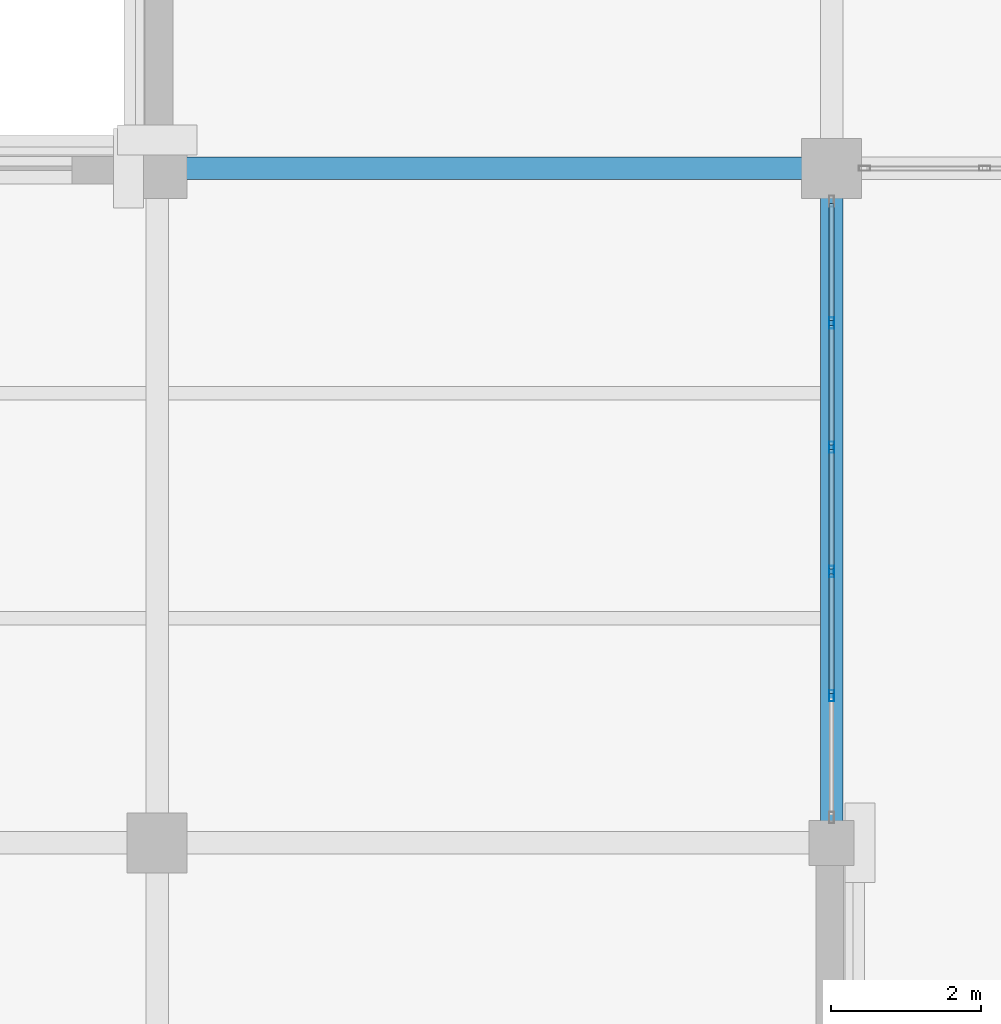
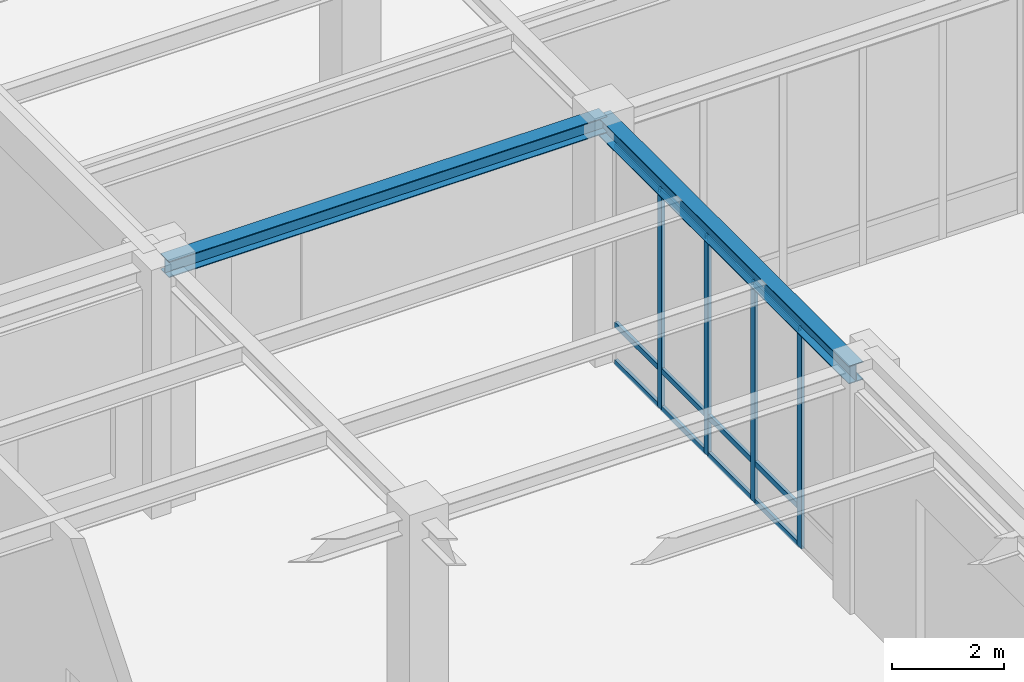
# One storey, part 46 of 77: 16 members, 2 beams, 1 element without a shape of its own.
"""IFC4 building model written with IfcOpenShell, lengths in metres."""

from ifc_helpers import new_model, si_unit, direction, frame, origin, origin_2d, place, context, subcontext, project, spatial, hollow_rectangle, i_section, extrude, material, material_profile, profile_set, type_object, element, aggregate, save


model = new_model("IFC4")

# Units and contexts
model_context = context("Model", 3, precision=1e-05, world=origin(), true_north=direction((0.0, 1.0)))
body_context = subcontext(model_context, "Body", "Model", "MODEL_VIEW")
ifc_project = project(units=[si_unit("LENGTHUNIT", "METRE"), si_unit("AREAUNIT", "SQUARE_METRE"), si_unit("VOLUMEUNIT", "CUBIC_METRE"), si_unit("PLANEANGLEUNIT", "RADIAN"), si_unit("MASSUNIT", "GRAM", prefix="KILO")], contexts=[model_context])

# Site, building, storey
site_placement = place(None, origin())
site = spatial("IfcSite", under=ifc_project, at=site_placement, CompositionType="ELEMENT")
building_placement = place(site_placement, origin())
building = spatial("IfcBuilding", under=site, at=building_placement, Name="Lykobir Media Centre", CompositionType="ELEMENT")
storey_placement = place(building_placement, origin())
storey = spatial("IfcBuildingStorey", under=building, at=storey_placement, Name="L00", CompositionType="ELEMENT", Elevation=0.0)

# Beam
ifc_material_1 = material(Name="Steel S355", Category="steel")
ifc_material_profile_1 = material_profile(ifc_material_1, i_section(OverallWidth=0.300048828125, OverallDepth=0.389892578125, WebThickness=0.010986328125, FlangeThickness=0.01904296875, at=origin_2d()), Name="HEA 400")
ifc_profile_set_1 = profile_set([ifc_material_profile_1], Name="Steel S355")
beam_type_1 = type_object("IfcBeamType", Name="BM-HEA400", PredefinedType="BEAM", material=ifc_profile_set_1)
beam_1_placement = place(storey_placement, frame((108.0, 63.0, 4.962890625), z_axis=(0.0, 1.0, 0.0), x_axis=(-1.0, 0.0, 0.0)))
element("IfcBeam", 1, at=beam_1_placement, inside=storey, type_object=beam_type_1, Name="Beam BM-L00-1080-0630-1080-0720-499", PredefinedType="BEAM", context=body_context, shape_type="SweptSolid", body=[
    extrude(i_section(OverallWidth=0.300048828125, OverallDepth=0.389892578125, WebThickness=0.010986328125, FlangeThickness=0.01904296875, at=origin_2d()), origin(), (0.0, 0.0, 1.0), 9.0),
])

# Curtain wall, members
ifc_material_2 = material(Name="Anodized Aluminium AW-6060", Category="aluminium")
curtain_wall_type = type_object("IfcCurtainWallType", Name="CW-COURT-A", PredefinedType="NOTDEFINED", material=ifc_material_2)
curtain_wall_placement = place(storey_placement, origin())
curtain_wall = element("IfcCurtainWall", 2, at=curtain_wall_placement, inside=storey, type_object=curtain_wall_type, Name="Curtain wall CW2-L00-0007", PredefinedType="NOTDEFINED")
ifc_material_profile_2 = material_profile(ifc_material_2, hollow_rectangle(XDim=0.06494140625, YDim=0.14990234375, WallThickness=0.00341796875, at=origin_2d()), Name="ALU MULLION 65x150")
ifc_profile_set_2 = profile_set([ifc_material_profile_2], Name="Anodized Aluminium AW-6060")
member_type_1 = type_object("IfcMemberType", Name="CWM-150", PredefinedType="MULLION", material=ifc_profile_set_2)
member_1_placement = place(storey_placement, frame((108.0, 69.93701171875, 0.0), z_axis=(0.0, 0.0, 1.0), x_axis=(1.0, 0.0, 0.0)))
member_1 = element("IfcMember", 3, at=member_1_placement, type_object=member_type_1, Name="CW2-L00-0007 mullion 2", PredefinedType="MULLION", context=body_context, shape_type="SweptSolid", body=[
    extrude(hollow_rectangle(XDim=0.06494140625, YDim=0.14990234375, WallThickness=0.00341796875, at=origin_2d()), origin(), (0.0, 0.0, 1.0), 4.7529296875),
])
member_2_placement = place(storey_placement, frame((108.0, 68.279052734375, 0.0), z_axis=(0.0, 0.0, 1.0), x_axis=(1.0, 0.0, 0.0)))
member_2 = element("IfcMember", 4, at=member_2_placement, type_object=member_type_1, Name="CW2-L00-0007 mullion 3", PredefinedType="MULLION", context=body_context, shape_type="SweptSolid", body=[
    extrude(hollow_rectangle(XDim=0.06494140625, YDim=0.14990234375, WallThickness=0.00341796875, at=origin_2d()), origin(), (0.0, 0.0, 1.0), 4.7529296875),
])
member_3_placement = place(storey_placement, frame((108.0, 66.62109375, 0.0), z_axis=(0.0, 0.0, 1.0), x_axis=(1.0, 0.0, 0.0)))
member_3 = element("IfcMember", 5, at=member_3_placement, type_object=member_type_1, Name="CW2-L00-0007 mullion 4", PredefinedType="MULLION", context=body_context, shape_type="SweptSolid", body=[
    extrude(hollow_rectangle(XDim=0.06494140625, YDim=0.14990234375, WallThickness=0.00341796875, at=origin_2d()), origin(), (0.0, 0.0, 1.0), 4.7529296875),
])
member_4_placement = place(storey_placement, frame((108.0, 64.962890625, 0.0), z_axis=(0.0, 0.0, 1.0), x_axis=(1.0, 0.0, 0.0)))
member_4 = element("IfcMember", 6, at=member_4_placement, type_object=member_type_1, Name="CW2-L00-0007 mullion 5", PredefinedType="MULLION", context=body_context, shape_type="SweptSolid", body=[
    extrude(hollow_rectangle(XDim=0.06494140625, YDim=0.14990234375, WallThickness=0.00341796875, at=origin_2d()), origin(), (0.0, 0.0, 1.0), 4.7529296875),
])
ifc_material_profile_3 = material_profile(ifc_material_2, hollow_rectangle(XDim=0.06494140625, YDim=0.1201171875, WallThickness=0.0029296875, at=origin_2d()), Name="ALU TRANSOM 65x120")
ifc_profile_set_3 = profile_set([ifc_material_profile_3], Name="Anodized Aluminium AW-6060")
member_type_2 = type_object("IfcMemberType", Name="CWT-120", PredefinedType="USERDEFINED", material=ifc_profile_set_3)
member_5_placement = place(storey_placement, frame((108.0, 71.530029296875, 0.032470703125), z_axis=(0.0, -1.0, 0.0), x_axis=(1.0, 0.0, 0.0)))
member_5 = element("IfcMember", 7, at=member_5_placement, type_object=member_type_2, Name="CW2-L00-0007 transom 1.1", ObjectType="TRANSOM", PredefinedType="USERDEFINED", context=body_context, shape_type="SweptSolid", body=[
    extrude(hollow_rectangle(XDim=0.06494140625, YDim=0.1201171875, WallThickness=0.0029296875, at=origin_2d()), origin(), (0.0, 0.0, 1.0), 1.560546875),
])
member_6_placement = place(storey_placement, frame((108.0, 71.530029296875, 0.85009765625), z_axis=(0.0, -1.0, 0.0), x_axis=(1.0, 0.0, 0.0)))
member_6 = element("IfcMember", 8, at=member_6_placement, type_object=member_type_2, Name="CW2-L00-0007 transom 1.2", ObjectType="TRANSOM", PredefinedType="USERDEFINED", context=body_context, shape_type="SweptSolid", body=[
    extrude(hollow_rectangle(XDim=0.06494140625, YDim=0.1201171875, WallThickness=0.0029296875, at=origin_2d()), origin(), (0.0, 0.0, 1.0), 1.560546875),
])
member_7_placement = place(storey_placement, frame((108.0, 71.530029296875, 4.720458984375), z_axis=(0.0, -1.0, 0.0), x_axis=(1.0, 0.0, 0.0)))
member_7 = element("IfcMember", 9, at=member_7_placement, type_object=member_type_2, Name="CW2-L00-0007 transom 1.3", ObjectType="TRANSOM", PredefinedType="USERDEFINED", context=body_context, shape_type="SweptSolid", body=[
    extrude(hollow_rectangle(XDim=0.06494140625, YDim=0.1201171875, WallThickness=0.0029296875, at=origin_2d()), origin(), (0.0, 0.0, 1.0), 1.560546875),
])
member_8_placement = place(storey_placement, frame((108.0, 69.904541015625, 0.032470703125), z_axis=(0.0, -1.0, 0.0), x_axis=(1.0, 0.0, 0.0)))
member_8 = element("IfcMember", 10, at=member_8_placement, type_object=member_type_2, Name="CW2-L00-0007 transom 2.1", ObjectType="TRANSOM", PredefinedType="USERDEFINED", context=body_context, shape_type="SweptSolid", body=[
    extrude(hollow_rectangle(XDim=0.06494140625, YDim=0.1201171875, WallThickness=0.0029296875, at=origin_2d()), origin(), (0.0, 0.0, 1.0), 1.593017578125),
])
member_9_placement = place(storey_placement, frame((108.0, 69.904541015625, 0.85009765625), z_axis=(0.0, -1.0, 0.0), x_axis=(1.0, 0.0, 0.0)))
member_9 = element("IfcMember", 11, at=member_9_placement, type_object=member_type_2, Name="CW2-L00-0007 transom 2.2", ObjectType="TRANSOM", PredefinedType="USERDEFINED", context=body_context, shape_type="SweptSolid", body=[
    extrude(hollow_rectangle(XDim=0.06494140625, YDim=0.1201171875, WallThickness=0.0029296875, at=origin_2d()), origin(), (0.0, 0.0, 1.0), 1.593017578125),
])
member_10_placement = place(storey_placement, frame((108.0, 69.904541015625, 4.720458984375), z_axis=(0.0, -1.0, 0.0), x_axis=(1.0, 0.0, 0.0)))
member_10 = element("IfcMember", 12, at=member_10_placement, type_object=member_type_2, Name="CW2-L00-0007 transom 2.3", ObjectType="TRANSOM", PredefinedType="USERDEFINED", context=body_context, shape_type="SweptSolid", body=[
    extrude(hollow_rectangle(XDim=0.06494140625, YDim=0.1201171875, WallThickness=0.0029296875, at=origin_2d()), origin(), (0.0, 0.0, 1.0), 1.593017578125),
])
member_11_placement = place(storey_placement, frame((108.0, 68.24658203125, 0.032470703125), z_axis=(0.0, -1.0, 0.0), x_axis=(1.0, 0.0, 0.0)))
member_11 = element("IfcMember", 13, at=member_11_placement, type_object=member_type_2, Name="CW2-L00-0007 transom 3.1", ObjectType="TRANSOM", PredefinedType="USERDEFINED", context=body_context, shape_type="SweptSolid", body=[
    extrude(hollow_rectangle(XDim=0.06494140625, YDim=0.1201171875, WallThickness=0.0029296875, at=origin_2d()), origin(), (0.0, 0.0, 1.0), 1.593017578125),
])
member_12_placement = place(storey_placement, frame((108.0, 68.24658203125, 0.85009765625), z_axis=(0.0, -1.0, 0.0), x_axis=(1.0, 0.0, 0.0)))
member_12 = element("IfcMember", 14, at=member_12_placement, type_object=member_type_2, Name="CW2-L00-0007 transom 3.2", ObjectType="TRANSOM", PredefinedType="USERDEFINED", context=body_context, shape_type="SweptSolid", body=[
    extrude(hollow_rectangle(XDim=0.06494140625, YDim=0.1201171875, WallThickness=0.0029296875, at=origin_2d()), origin(), (0.0, 0.0, 1.0), 1.593017578125),
])
member_13_placement = place(storey_placement, frame((108.0, 68.24658203125, 4.720458984375), z_axis=(0.0, -1.0, 0.0), x_axis=(1.0, 0.0, 0.0)))
member_13 = element("IfcMember", 15, at=member_13_placement, type_object=member_type_2, Name="CW2-L00-0007 transom 3.3", ObjectType="TRANSOM", PredefinedType="USERDEFINED", context=body_context, shape_type="SweptSolid", body=[
    extrude(hollow_rectangle(XDim=0.06494140625, YDim=0.1201171875, WallThickness=0.0029296875, at=origin_2d()), origin(), (0.0, 0.0, 1.0), 1.593017578125),
])
member_14_placement = place(storey_placement, frame((108.0, 66.58837890625, 0.032470703125), z_axis=(0.0, -1.0, 0.0), x_axis=(1.0, 0.0, 0.0)))
member_14 = element("IfcMember", 16, at=member_14_placement, type_object=member_type_2, Name="CW2-L00-0007 transom 4.1", ObjectType="TRANSOM", PredefinedType="USERDEFINED", context=body_context, shape_type="SweptSolid", body=[
    extrude(hollow_rectangle(XDim=0.06494140625, YDim=0.1201171875, WallThickness=0.0029296875, at=origin_2d()), origin(), (0.0, 0.0, 1.0), 1.5927734375),
])
member_15_placement = place(storey_placement, frame((108.0, 66.58837890625, 0.85009765625), z_axis=(0.0, -1.0, 0.0), x_axis=(1.0, 0.0, 0.0)))
member_15 = element("IfcMember", 17, at=member_15_placement, type_object=member_type_2, Name="CW2-L00-0007 transom 4.2", ObjectType="TRANSOM", PredefinedType="USERDEFINED", context=body_context, shape_type="SweptSolid", body=[
    extrude(hollow_rectangle(XDim=0.06494140625, YDim=0.1201171875, WallThickness=0.0029296875, at=origin_2d()), origin(), (0.0, 0.0, 1.0), 1.5927734375),
])
member_16_placement = place(storey_placement, frame((108.0, 66.58837890625, 4.720458984375), z_axis=(0.0, -1.0, 0.0), x_axis=(1.0, 0.0, 0.0)))
member_16 = element("IfcMember", 18, at=member_16_placement, type_object=member_type_2, Name="CW2-L00-0007 transom 4.3", ObjectType="TRANSOM", PredefinedType="USERDEFINED", context=body_context, shape_type="SweptSolid", body=[
    extrude(hollow_rectangle(XDim=0.06494140625, YDim=0.1201171875, WallThickness=0.0029296875, at=origin_2d()), origin(), (0.0, 0.0, 1.0), 1.5927734375),
])
aggregate(curtain_wall, [member_1, member_2, member_3, member_4, member_5, member_6, member_7, member_8, member_9, member_10, member_11, member_12, member_13, member_14, member_15, member_16])

# Beam
ifc_material_profile_4 = material_profile(ifc_material_1, i_section(OverallWidth=0.300048828125, OverallDepth=0.35009765625, WebThickness=0.010009765625, FlangeThickness=0.017578125, at=origin_2d()), Name="HEA 360")
ifc_profile_set_4 = profile_set([ifc_material_profile_4], Name="Steel S355")
beam_type_2 = type_object("IfcBeamType", Name="SP-HEA360", PredefinedType="SPANDREL", material=ifc_profile_set_4)
beam_2_placement = place(storey_placement, frame((99.0, 72.0, 4.985107421875), z_axis=(1.0, 0.0, 0.0), x_axis=(0.0, 1.0, 0.0)))
element("IfcBeam", 19, at=beam_2_placement, inside=storey, type_object=beam_type_2, Name="Beam BM-L00-0990-0720-1080-0720-499", PredefinedType="SPANDREL", context=body_context, shape_type="SweptSolid", body=[
    extrude(i_section(OverallWidth=0.300048828125, OverallDepth=0.35009765625, WebThickness=0.010009765625, FlangeThickness=0.017578125, at=origin_2d()), origin(), (0.0, 0.0, 1.0), 9.0),
])

save(model, "model.ifc")
